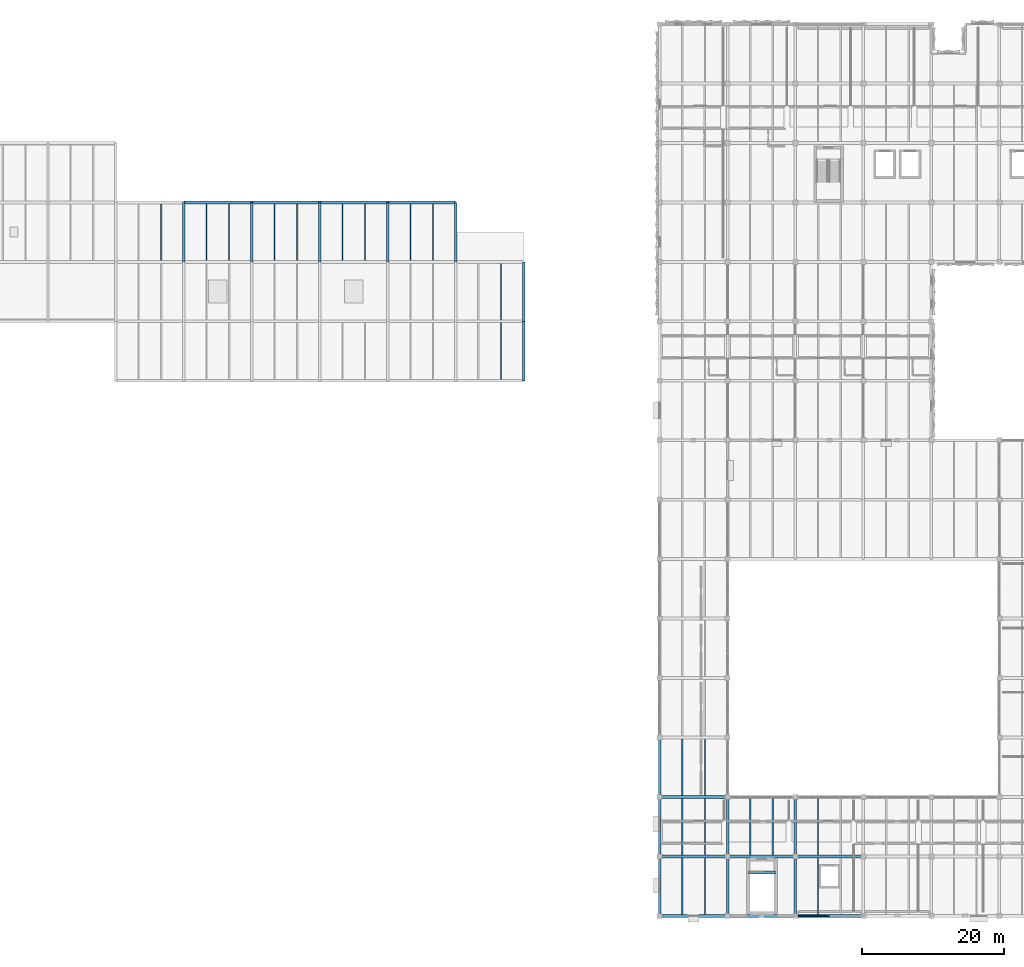
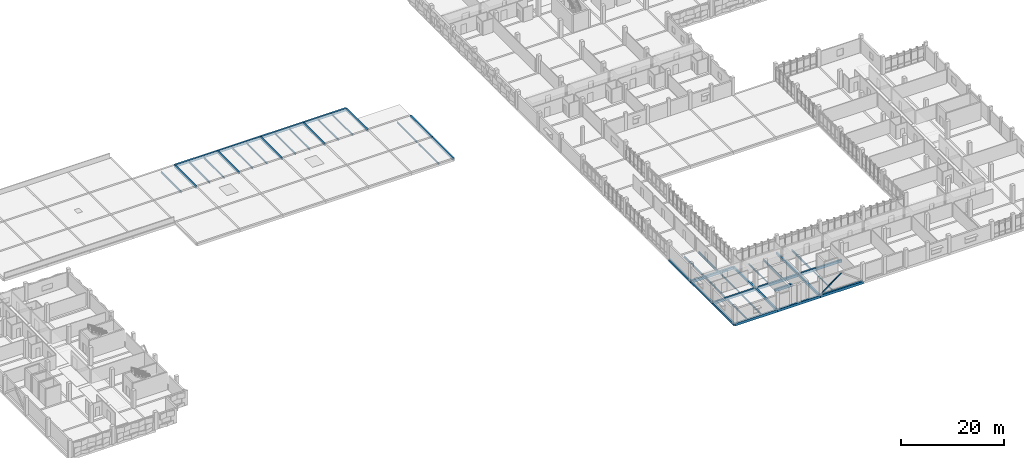
# One storey, part 5 of 57: 47 beams, 1 member.
"""IFC4 building model written with IfcOpenShell, lengths in metres."""

from ifc_helpers import new_model, si_unit, direction, frame, origin, origin_2d, place, context, subcontext, project, spatial, rectangle, hollow_rectangle, i_section, extrude, material, material_profile, profile_set, type_object, element, save


model = new_model("IFC4")

# Units and contexts
model_context = context("Model", 3, precision=1e-05, world=origin(), true_north=direction((0.0, 1.0)))
body_context = subcontext(model_context, "Body", "Model", "MODEL_VIEW")
ifc_project = project(units=[si_unit("LENGTHUNIT", "METRE"), si_unit("AREAUNIT", "SQUARE_METRE"), si_unit("VOLUMEUNIT", "CUBIC_METRE"), si_unit("PLANEANGLEUNIT", "RADIAN"), si_unit("MASSUNIT", "GRAM", prefix="KILO")], contexts=[model_context])

# Site, building, storey
site_placement = place(None, origin())
site = spatial("IfcSite", under=ifc_project, at=site_placement, CompositionType="ELEMENT")
building_placement = place(site_placement, origin())
building = spatial("IfcBuilding", under=site, at=building_placement, Name="Oolite Switchyard Hospital", CompositionType="ELEMENT")
storey_placement = place(building_placement, frame((0.0, 0.0, 17.800048828125)))
storey = spatial("IfcBuildingStorey", under=building, at=storey_placement, Name="L04", CompositionType="ELEMENT", Elevation=17.800048828125)

# Beams
ifc_material_1 = material(Name="Concrete C40/50", Category="concrete")
ifc_material_profile_1 = material_profile(ifc_material_1, rectangle(XDim=0.35009765625, YDim=0.550048828125, at=origin_2d()), Name="RCB350X550")
ifc_profile_set_1 = profile_set([ifc_material_profile_1], Name="Concrete C40/50")
beam_type_1 = type_object("IfcBeamType", Name="BM-RC350X550", PredefinedType="BEAM", material=ifc_profile_set_1)
for number, where, z_axis, x_axis, name in (
    (1, (67.199951171875, 100.800048828125, -0.275146484375), (0.0, 1.0, 0.0), (-1.0, 0.0, 0.0), "L04 Y-Girder 2961"),
    (2, (76.800048828125, 100.800048828125, -0.275146484375), (0.0, 1.0, 0.0), (-1.0, 0.0, 0.0), "L04 Y-Girder 2964"),
    (3, (86.39990234375, 100.800048828125, -0.275146484375), (0.0, 1.0, 0.0), (-1.0, 0.0, 0.0), "L04 Y-Girder 2967"),
    (4, (96.0, 100.800048828125, -0.275146484375), (0.0, 1.0, 0.0), (-1.0, 0.0, 0.0), "L04 Y-Girder 2970"),
    (5, (105.60009765625, 100.800048828125, -0.275146484375), (0.0, 1.0, 0.0), (-1.0, 0.0, 0.0), "L04 Y-Girder 2973"),
    (6, (115.199951171875, 84.0, -0.275146484375), (0.0, 1.0, 0.0), (-1.0, 0.0, 0.0), "L04 Y-Girder 2974"),
):
    element("IfcBeam", number, at=place(storey_placement, frame(where, z_axis=z_axis, x_axis=x_axis)), inside=storey, type_object=beam_type_1, Name=name, PredefinedType="BEAM", context=body_context, shape_type="SweptSolid", body=[
        extrude(rectangle(XDim=0.35009765625, YDim=0.550048828125, at=origin_2d()), origin(), (0.0, 0.0, 1.0), 8.39990234375),
    ])
for number, where, z_axis, x_axis, name in (
    (7, (115.199951171875, 92.39990234375, -0.275146484375), (0.0, 1.0, 0.0), (-1.0, 0.0, 0.0), "L04 Y-Girder 2975"),
    (8, (134.39990234375, 8.39990234375, -0.275146484375), (0.0, 1.0, 0.0), (-1.0, 0.0, 0.0), "L04 Y-Girder 2976"),
):
    element("IfcBeam", number, at=place(storey_placement, frame(where, z_axis=z_axis, x_axis=x_axis)), inside=storey, type_object=beam_type_1, Name=name, PredefinedType="BEAM", context=body_context, shape_type="SweptSolid", body=[
        extrude(rectangle(XDim=0.35009765625, YDim=0.550048828125, at=origin_2d()), origin(), (0.0, 0.0, 1.0), 8.400146484375),
    ])
beam_1_placement = place(storey_placement, frame((134.39990234375, 16.800048828125, -0.275146484375), z_axis=(0.0, 1.0, 0.0), x_axis=(-1.0, 0.0, 0.0)))
element("IfcBeam", 9, at=beam_1_placement, inside=storey, type_object=beam_type_1, Name="L04 Y-Girder 2977", PredefinedType="BEAM", context=body_context, shape_type="SweptSolid", body=[
    extrude(rectangle(XDim=0.35009765625, YDim=0.550048828125, at=origin_2d()), origin(), (0.0, 0.0, 1.0), 8.39990234375),
])
for number, where, z_axis, x_axis, name in (
    (10, (134.39990234375, 25.199951171875, -0.275146484375), (0.0, 1.0, 0.0), (-1.0, 0.0, 0.0), "L04 Y-Girder 2978"),
    (11, (144.0, 8.39990234375, -0.275146484375), (0.0, 1.0, 0.0), (-1.0, 0.0, 0.0), "L04 Y-Girder 2991"),
):
    element("IfcBeam", number, at=place(storey_placement, frame(where, z_axis=z_axis, x_axis=x_axis)), inside=storey, type_object=beam_type_1, Name=name, PredefinedType="BEAM", context=body_context, shape_type="SweptSolid", body=[
        extrude(rectangle(XDim=0.35009765625, YDim=0.550048828125, at=origin_2d()), origin(), (0.0, 0.0, 1.0), 8.400146484375),
    ])
beam_2_placement = place(storey_placement, frame((144.0, 16.800048828125, -0.275146484375), z_axis=(0.0, 1.0, 0.0), x_axis=(-1.0, 0.0, 0.0)))
element("IfcBeam", 12, at=beam_2_placement, inside=storey, type_object=beam_type_1, Name="L04 Y-Girder 2992", PredefinedType="BEAM", context=body_context, shape_type="SweptSolid", body=[
    extrude(rectangle(XDim=0.35009765625, YDim=0.550048828125, at=origin_2d()), origin(), (0.0, 0.0, 1.0), 8.39990234375),
])
beam_3_placement = place(storey_placement, frame((153.60009765625, 8.39990234375, -0.275146484375), z_axis=(0.0, 1.0, 0.0), x_axis=(-1.0, 0.0, 0.0)))
element("IfcBeam", 13, at=beam_3_placement, inside=storey, type_object=beam_type_1, Name="L04 Y-Girder 3006", PredefinedType="BEAM", context=body_context, shape_type="SweptSolid", body=[
    extrude(rectangle(XDim=0.35009765625, YDim=0.550048828125, at=origin_2d()), origin(), (0.0, 0.0, 1.0), 8.400146484375),
])
beam_4_placement = place(storey_placement, frame((153.60009765625, 16.800048828125, -0.275146484375), z_axis=(0.0, 1.0, 0.0), x_axis=(-1.0, 0.0, 0.0)))
element("IfcBeam", 14, at=beam_4_placement, inside=storey, type_object=beam_type_1, Name="L04 Y-Girder 3007", PredefinedType="BEAM", context=body_context, shape_type="SweptSolid", body=[
    extrude(rectangle(XDim=0.35009765625, YDim=0.550048828125, at=origin_2d()), origin(), (0.0, 0.0, 1.0), 8.39990234375),
])
ifc_material_profile_2 = material_profile(ifc_material_1, rectangle(XDim=0.39990234375, YDim=0.60009765625, at=origin_2d()), Name="RCB400X600")
ifc_profile_set_2 = profile_set([ifc_material_profile_2], Name="Concrete C40/50")
beam_type_2 = type_object("IfcBeamType", Name="BM-RC400X600", PredefinedType="BEAM", material=ifc_profile_set_2)
for number, where, z_axis, x_axis, name in (
    (15, (134.39990234375, 8.39990234375, -0.300048828125), (1.0, 0.0, 0.0), (0.0, 1.0, 0.0), "L04 X-Girder 2756"),
    (16, (144.0, 8.39990234375, -0.300048828125), (1.0, 0.0, 0.0), (0.0, 1.0, 0.0), "L04 X-Girder 2757"),
):
    element("IfcBeam", number, at=place(storey_placement, frame(where, z_axis=z_axis, x_axis=x_axis)), inside=storey, type_object=beam_type_2, Name=name, PredefinedType="BEAM", context=body_context, shape_type="SweptSolid", body=[
        extrude(rectangle(XDim=0.39990234375, YDim=0.60009765625, at=origin_2d()), origin(), (0.0, 0.0, 1.0), 9.60009765625),
    ])
beam_5_placement = place(storey_placement, frame((153.60009765625, 8.39990234375, -0.300048828125), z_axis=(1.0, 0.0, 0.0), x_axis=(0.0, 1.0, 0.0)))
element("IfcBeam", 17, at=beam_5_placement, inside=storey, type_object=beam_type_2, Name="L04 X-Girder 2758", PredefinedType="BEAM", context=body_context, shape_type="SweptSolid", body=[
    extrude(rectangle(XDim=0.39990234375, YDim=0.60009765625, at=origin_2d()), origin(), (0.0, 0.0, 1.0), 9.599853515625),
])
for number, where, z_axis, x_axis, name in (
    (18, (134.39990234375, 16.800048828125, -0.300048828125), (1.0, 0.0, 0.0), (0.0, 1.0, 0.0), "L04 X-Girder 2763"),
    (19, (144.0, 16.800048828125, -0.300048828125), (1.0, 0.0, 0.0), (0.0, 1.0, 0.0), "L04 X-Girder 2764"),
):
    element("IfcBeam", number, at=place(storey_placement, frame(where, z_axis=z_axis, x_axis=x_axis)), inside=storey, type_object=beam_type_2, Name=name, PredefinedType="BEAM", context=body_context, shape_type="SweptSolid", body=[
        extrude(rectangle(XDim=0.39990234375, YDim=0.60009765625, at=origin_2d()), origin(), (0.0, 0.0, 1.0), 9.60009765625),
    ])
beam_6_placement = place(storey_placement, frame((153.60009765625, 16.800048828125, -0.300048828125), z_axis=(1.0, 0.0, 0.0), x_axis=(0.0, 1.0, 0.0)))
element("IfcBeam", 20, at=beam_6_placement, inside=storey, type_object=beam_type_2, Name="L04 X-Girder 2765", PredefinedType="BEAM", context=body_context, shape_type="SweptSolid", body=[
    extrude(rectangle(XDim=0.39990234375, YDim=0.60009765625, at=origin_2d()), origin(), (0.0, 0.0, 1.0), 9.599853515625),
])
for number, where, z_axis, x_axis, name in (
    (21, (134.39990234375, 25.199951171875, -0.300048828125), (1.0, 0.0, 0.0), (0.0, 1.0, 0.0), "L04 X-Girder 2771"),
    (22, (67.199951171875, 109.199951171875, -0.300048828125), (1.0, 0.0, 0.0), (0.0, 1.0, 0.0), "L04 X-Girder 2881"),
):
    element("IfcBeam", number, at=place(storey_placement, frame(where, z_axis=z_axis, x_axis=x_axis)), inside=storey, type_object=beam_type_2, Name=name, PredefinedType="BEAM", context=body_context, shape_type="SweptSolid", body=[
        extrude(rectangle(XDim=0.39990234375, YDim=0.60009765625, at=origin_2d()), origin(), (0.0, 0.0, 1.0), 9.60009765625),
    ])
beam_7_placement = place(storey_placement, frame((76.800048828125, 109.199951171875, -0.300048828125), z_axis=(1.0, 0.0, 0.0), x_axis=(0.0, 1.0, 0.0)))
element("IfcBeam", 23, at=beam_7_placement, inside=storey, type_object=beam_type_2, Name="L04 X-Girder 2882", PredefinedType="BEAM", context=body_context, shape_type="SweptSolid", body=[
    extrude(rectangle(XDim=0.39990234375, YDim=0.60009765625, at=origin_2d()), origin(), (0.0, 0.0, 1.0), 9.599853515625),
])
for number, where, z_axis, x_axis, name in (
    (24, (86.39990234375, 109.199951171875, -0.300048828125), (1.0, 0.0, 0.0), (0.0, 1.0, 0.0), "L04 X-Girder 2883"),
    (25, (96.0, 109.199951171875, -0.300048828125), (1.0, 0.0, 0.0), (0.0, 1.0, 0.0), "L04 X-Girder 2884"),
):
    element("IfcBeam", number, at=place(storey_placement, frame(where, z_axis=z_axis, x_axis=x_axis)), inside=storey, type_object=beam_type_2, Name=name, PredefinedType="BEAM", context=body_context, shape_type="SweptSolid", body=[
        extrude(rectangle(XDim=0.39990234375, YDim=0.60009765625, at=origin_2d()), origin(), (0.0, 0.0, 1.0), 9.60009765625),
    ])
beam_8_placement = place(storey_placement, frame((146.949951171875, 14.510009765625, -0.300048828125), z_axis=(1.0, 0.0, 0.0), x_axis=(0.0, 1.0, 0.0)))
element("IfcBeam", 26, at=beam_8_placement, inside=storey, type_object=beam_type_2, Name="L04 ST-05 Stair Throat Trimmer Beam", PredefinedType="BEAM", context=body_context, shape_type="SweptSolid", body=[
    extrude(rectangle(XDim=0.39990234375, YDim=0.60009765625, at=origin_2d()), origin(), (0.0, 0.0, 1.0), 3.860107421875),
])
ifc_material_2 = material(Name="Steel ASTM A992 Grade 50", Category="steel")
ifc_material_profile_3 = material_profile(ifc_material_2, i_section(OverallWidth=0.1650390625, OverallDepth=0.31005859375, WebThickness=0.006103515625, FlangeThickness=0.010009765625, at=origin_2d()), Name="W12X26")
ifc_profile_set_3 = profile_set([ifc_material_profile_3], Name="Steel ASTM A992 Grade 50")
beam_type_3 = type_object("IfcBeamType", Name="BM-W12X26", PredefinedType="JOIST", material=ifc_profile_set_3)
for number, where, z_axis, x_axis, name in (
    (27, (140.800048828125, 17.0, -0.429931640625), (0.0, 1.0, 0.0), (-1.0, 0.0, 0.0), "L04 Secondary Steel Joist 3168"),
    (28, (137.60009765625, 25.39990234375, -0.429931640625), (0.0, 1.0, 0.0), (-1.0, 0.0, 0.0), "L04 Secondary Steel Joist 3169"),
    (29, (147.199951171875, 17.0, -0.429931640625), (0.0, 1.0, 0.0), (-1.0, 0.0, 0.0), "L04 Secondary Steel Joist 3195"),
    (30, (156.800048828125, 8.60009765625, -0.429931640625), (0.0, 1.0, 0.0), (-1.0, 0.0, 0.0), "L04 Secondary Steel Joist 3215"),
):
    element("IfcBeam", number, at=place(storey_placement, frame(where, z_axis=z_axis, x_axis=x_axis)), inside=storey, type_object=beam_type_3, Name=name, PredefinedType="JOIST", context=body_context, shape_type="SweptSolid", body=[
        extrude(i_section(OverallWidth=0.1650390625, OverallDepth=0.31005859375, WebThickness=0.006103515625, FlangeThickness=0.010009765625, at=origin_2d()), origin(), (0.0, 0.0, 1.0), 8.0),
    ])
ifc_material_profile_4 = material_profile(ifc_material_2, i_section(OverallWidth=0.1708984375, OverallDepth=0.35107421875, WebThickness=0.007080078125, FlangeThickness=0.010009765625, at=origin_2d()), Name="W14X30")
ifc_profile_set_4 = profile_set([ifc_material_profile_4], Name="Steel ASTM A992 Grade 50")
beam_type_4 = type_object("IfcBeamType", Name="BM-W14X30", PredefinedType="JOIST", material=ifc_profile_set_4)
for number, where, z_axis, x_axis, name in (
    (31, (102.39990234375, 101.0, -0.39501953125), (0.0, 1.0, 0.0), (-1.0, 0.0, 0.0), "L04 Secondary Steel Joist 3160"),
    (32, (112.0, 92.60009765625, -0.39501953125), (0.0, 1.0, 0.0), (-1.0, 0.0, 0.0), "L04 Secondary Steel Joist 3164"),
    (33, (140.800048828125, 8.60009765625, -0.449951171875), (0.0, 1.0, 0.0), (-1.0, 0.0, 0.0), "L04 Secondary Steel Joist 3166"),
    (34, (137.60009765625, 17.0, -0.449951171875), (0.0, 1.0, 0.0), (-1.0, 0.0, 0.0), "L04 Secondary Steel Joist 3167"),
):
    element("IfcBeam", number, at=place(storey_placement, frame(where, z_axis=z_axis, x_axis=x_axis)), inside=storey, type_object=beam_type_4, Name=name, PredefinedType="JOIST", context=body_context, shape_type="SweptSolid", body=[
        extrude(i_section(OverallWidth=0.1708984375, OverallDepth=0.35107421875, WebThickness=0.007080078125, FlangeThickness=0.010009765625, at=origin_2d()), origin(), (0.0, 0.0, 1.0), 8.0),
    ])
ifc_material_profile_5 = material_profile(ifc_material_2, i_section(OverallWidth=0.177978515625, OverallDepth=0.403076171875, WebThickness=0.008056640625, FlangeThickness=0.010986328125, at=origin_2d()), Name="W16X36")
ifc_profile_set_5 = profile_set([ifc_material_profile_5], Name="Steel ASTM A992 Grade 50")
beam_type_5 = type_object("IfcBeamType", Name="BM-W16X36", PredefinedType="JOIST", material=ifc_profile_set_5)
for number, where, z_axis, x_axis, name in (
    (35, (92.800048828125, 101.0, -0.421142578125), (0.0, 1.0, 0.0), (-1.0, 0.0, 0.0), "L04 Secondary Steel Joist 3154"),
    (36, (99.199951171875, 101.0, -0.421142578125), (0.0, 1.0, 0.0), (-1.0, 0.0, 0.0), "L04 Secondary Steel Joist 3159"),
    (37, (112.0, 84.199951171875, -0.421142578125), (0.0, 1.0, 0.0), (-1.0, 0.0, 0.0), "L04 Secondary Steel Joist 3162"),
    (38, (137.60009765625, 8.60009765625, -0.47607421875), (0.0, 1.0, 0.0), (-1.0, 0.0, 0.0), "L04 Secondary Steel Joist 3165"),
):
    element("IfcBeam", number, at=place(storey_placement, frame(where, z_axis=z_axis, x_axis=x_axis)), inside=storey, type_object=beam_type_5, Name=name, PredefinedType="JOIST", context=body_context, shape_type="SweptSolid", body=[
        extrude(i_section(OverallWidth=0.177978515625, OverallDepth=0.403076171875, WebThickness=0.008056640625, FlangeThickness=0.010986328125, at=origin_2d()), origin(), (0.0, 0.0, 1.0), 8.0),
    ])
ifc_material_profile_6 = material_profile(ifc_material_2, i_section(OverallWidth=0.179931640625, OverallDepth=0.4130859375, WebThickness=0.010009765625, FlangeThickness=0.01611328125, at=origin_2d()), Name="W16X50")
ifc_profile_set_6 = profile_set([ifc_material_profile_6], Name="Steel ASTM A992 Grade 50")
beam_type_6 = type_object("IfcBeamType", Name="BM-W16X50", PredefinedType="JOIST", material=ifc_profile_set_6)
for number, where, z_axis, x_axis, name in (
    (39, (83.199951171875, 101.0, -0.426025390625), (0.0, 1.0, 0.0), (-1.0, 0.0, 0.0), "L04 Secondary Steel Joist 3150"),
    (40, (89.60009765625, 101.0, -0.426025390625), (0.0, 1.0, 0.0), (-1.0, 0.0, 0.0), "L04 Secondary Steel Joist 3153"),
):
    element("IfcBeam", number, at=place(storey_placement, frame(where, z_axis=z_axis, x_axis=x_axis)), inside=storey, type_object=beam_type_6, Name=name, PredefinedType="JOIST", context=body_context, shape_type="SweptSolid", body=[
        extrude(i_section(OverallWidth=0.179931640625, OverallDepth=0.4130859375, WebThickness=0.010009765625, FlangeThickness=0.01611328125, at=origin_2d()), origin(), (0.0, 0.0, 1.0), 8.0),
    ])
ifc_material_profile_7 = material_profile(ifc_material_2, i_section(OverallWidth=0.153076171875, OverallDepth=0.455078125, WebThickness=0.008056640625, FlangeThickness=0.012939453125, at=origin_2d()), Name="W18X40")
ifc_profile_set_7 = profile_set([ifc_material_profile_7], Name="Steel ASTM A992 Grade 50")
beam_type_7 = type_object("IfcBeamType", Name="BM-W18X40", PredefinedType="JOIST", material=ifc_profile_set_7)
for number, where, z_axis, x_axis, name in (
    (41, (73.60009765625, 101.0, -0.447021484375), (0.0, 1.0, 0.0), (-1.0, 0.0, 0.0), "L04 Secondary Steel Joist 3144"),
    (42, (80.0, 101.0, -0.447021484375), (0.0, 1.0, 0.0), (-1.0, 0.0, 0.0), "L04 Secondary Steel Joist 3149"),
):
    element("IfcBeam", number, at=place(storey_placement, frame(where, z_axis=z_axis, x_axis=x_axis)), inside=storey, type_object=beam_type_7, Name=name, PredefinedType="JOIST", context=body_context, shape_type="SweptSolid", body=[
        extrude(i_section(OverallWidth=0.153076171875, OverallDepth=0.455078125, WebThickness=0.008056640625, FlangeThickness=0.012939453125, at=origin_2d()), origin(), (0.0, 0.0, 1.0), 8.0),
    ])
ifc_material_profile_8 = material_profile(ifc_material_2, i_section(OverallWidth=0.19091796875, OverallDepth=0.4599609375, WebThickness=0.010009765625, FlangeThickness=0.01611328125, at=origin_2d()), Name="W18X55")
ifc_profile_set_8 = profile_set([ifc_material_profile_8], Name="Steel ASTM A992 Grade 50")
beam_type_8 = type_object("IfcBeamType", Name="BM-W18X55", PredefinedType="JOIST", material=ifc_profile_set_8)
for number, where, z_axis, x_axis, name in (
    (43, (64.0, 101.0, -0.449951171875), (0.0, 1.0, 0.0), (-1.0, 0.0, 0.0), "L04 Secondary Steel Joist 3138"),
    (44, (70.39990234375, 101.0, -0.449951171875), (0.0, 1.0, 0.0), (-1.0, 0.0, 0.0), "L04 Secondary Steel Joist 3143"),
):
    element("IfcBeam", number, at=place(storey_placement, frame(where, z_axis=z_axis, x_axis=x_axis)), inside=storey, type_object=beam_type_8, Name=name, PredefinedType="JOIST", context=body_context, shape_type="SweptSolid", body=[
        extrude(i_section(OverallWidth=0.19091796875, OverallDepth=0.4599609375, WebThickness=0.010009765625, FlangeThickness=0.01611328125, at=origin_2d()), origin(), (0.0, 0.0, 1.0), 8.0),
    ])
ifc_material_profile_9 = material_profile(ifc_material_2, i_section(OverallWidth=0.166015625, OverallDepth=0.529052734375, WebThickness=0.010009765625, FlangeThickness=0.013916015625, at=origin_2d()), Name="W21X50")
ifc_profile_set_9 = profile_set([ifc_material_profile_9], Name="Steel ASTM A992 Grade 50")
beam_type_9 = type_object("IfcBeamType", Name="BM-W21X50", PredefinedType="JOIST", material=ifc_profile_set_9)
for number, where, z_axis, x_axis, name in (
    (45, (140.800048828125, 25.39990234375, -0.5400390625), (0.0, 1.0, 0.0), (-1.0, 0.0, 0.0), "L04 Secondary Steel Joist 3170"),
    (46, (150.39990234375, 17.0, -0.5400390625), (0.0, 1.0, 0.0), (-1.0, 0.0, 0.0), "L04 Secondary Steel Joist 3196"),
    (47, (156.800048828125, 17.0, -0.5400390625), (0.0, 1.0, 0.0), (-1.0, 0.0, 0.0), "L04 Secondary Steel Joist 3217"),
):
    element("IfcBeam", number, at=place(storey_placement, frame(where, z_axis=z_axis, x_axis=x_axis)), inside=storey, type_object=beam_type_9, Name=name, PredefinedType="JOIST", context=body_context, shape_type="SweptSolid", body=[
        extrude(i_section(OverallWidth=0.166015625, OverallDepth=0.529052734375, WebThickness=0.010009765625, FlangeThickness=0.013916015625, at=origin_2d()), origin(), (0.0, 0.0, 1.0), 8.0),
    ])

# Member
ifc_material_3 = material(Name="Steel ASTM A500 Grade C", Category="steel")
ifc_material_profile_10 = material_profile(ifc_material_3, hollow_rectangle(XDim=0.152099609375, YDim=0.25390625, WallThickness=0.012939453125, at=origin_2d()), Name="HSS254X152X13")
ifc_profile_set_10 = profile_set([ifc_material_profile_10], Name="Steel ASTM A500 Grade C")
member_type = type_object("IfcMemberType", Name="MEM-BR-RHS254", PredefinedType="BRACE", material=ifc_profile_set_10)
member_placement = place(storey_placement, frame((153.60009765625, 8.39990234375, 0.02001953125), z_axis=(0.80160197321, 0.0, 0.597858073915), x_axis=(0.0, 1.0, 0.0)))
element("IfcMember", 48, at=member_placement, inside=storey, type_object=member_type, Name="L04 Chevron Brace 69", PredefinedType="BRACE", context=body_context, shape_type="SweptSolid", body=[
    extrude(hollow_rectangle(XDim=0.152099609375, YDim=0.25390625, WallThickness=0.012939453125, at=origin_2d()), origin(), (0.0, 0.0, 1.0), 5.98779296875),
])

save(model, "model.ifc")
